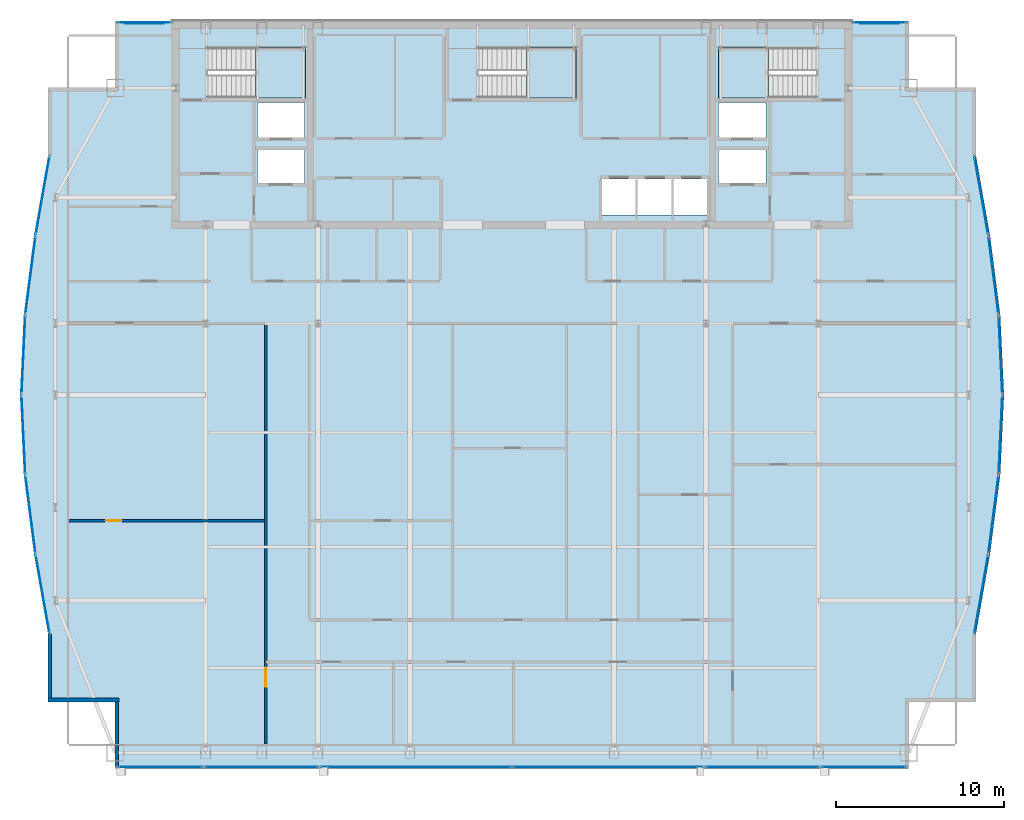
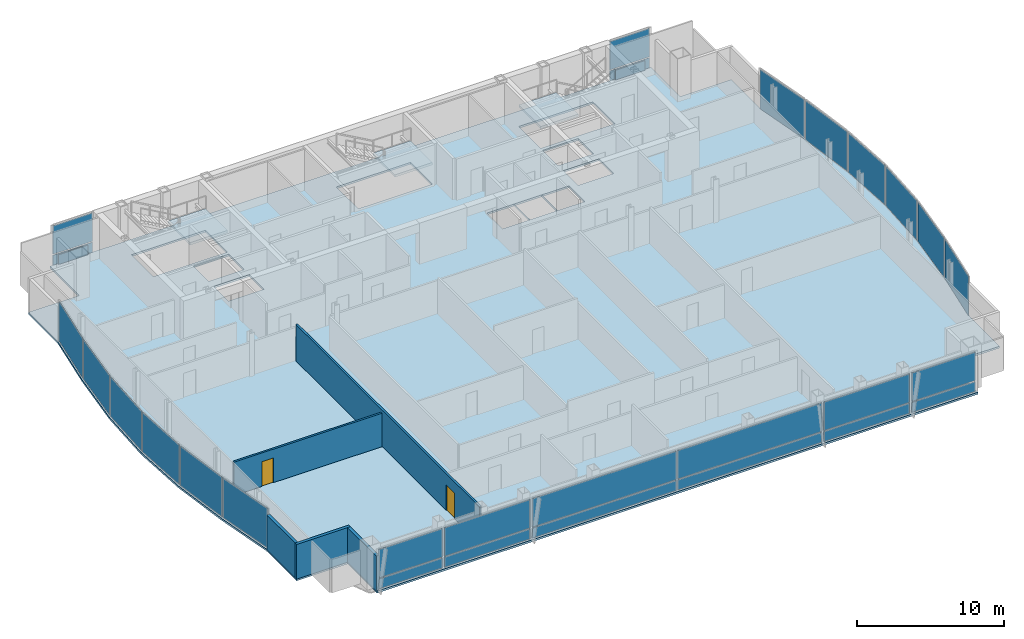
# One storey, part 24 of 30: 30 plates, 5 walls, 4 slabs, 2 doors, 2 openings, 22 elements without a shape of their own.
"""IFC4 building model written with IfcOpenShell, lengths in metres."""

from ifc_helpers import new_model, si_unit, direction, frame, frame_2d, origin, origin_2d, place, context, subcontext, project, spatial, polyline, rectangle, outline, extrude, material, layer, layer_set, type_object, element, fill, aggregate, save


model = new_model("IFC4")

# Units and contexts
model_context = context("Model", 3, precision=1e-05, world=origin(), true_north=direction((0.0, 1.0)))
body_context = subcontext(model_context, "Body", "Model", "MODEL_VIEW")
ifc_project = project(units=[si_unit("LENGTHUNIT", "METRE"), si_unit("AREAUNIT", "SQUARE_METRE"), si_unit("VOLUMEUNIT", "CUBIC_METRE"), si_unit("PLANEANGLEUNIT", "RADIAN"), si_unit("MASSUNIT", "GRAM", prefix="KILO")], contexts=[model_context])

# Site, building, storey
site_placement = place(None, origin())
site = spatial("IfcSite", under=ifc_project, at=site_placement, CompositionType="ELEMENT")
building_placement = place(site_placement, origin())
building = spatial("IfcBuilding", under=site, at=building_placement, Name="Khoronbel Lancet Exchange", CompositionType="ELEMENT")
storey_placement = place(building_placement, frame((0.0, 0.0, 277.0)))
storey = spatial("IfcBuildingStorey", under=building, at=storey_placement, Name="L71", CompositionType="ELEMENT", Elevation=277.0)

# Curtain wall, plate
ifc_material_1 = material(Name="Low-E Solar Control Insulating Glass", Category="glass")
curtain_wall_type_1 = type_object("IfcCurtainWallType", Name="CW-4", PredefinedType="NOTDEFINED", material=ifc_material_1)
curtain_wall_1_placement = place(storey_placement, origin())
curtain_wall_1 = element("IfcCurtainWall", 1, at=curtain_wall_1_placement, inside=storey, type_object=curtain_wall_type_1, Name="Unitised curtain wall CW-L71-E05", PredefinedType="NOTDEFINED")
ifc_material_2 = material(Name="Bronze-Anodised Aluminium 6063-T6", Category="aluminium")
ifc_layer_1 = layer(ifc_material_2, 0.050048828125, Name="Bronze-Anodised Aluminium 6063-T6")
ifc_layer_set_1 = layer_set([ifc_layer_1], Name="Bronze-Anodised Aluminium 6063-T6")
plate_type_1 = type_object("IfcPlateType", Name="PLT-CSP1", PredefinedType="SHEET", material=ifc_layer_set_1)
plate_1_placement = place(storey_placement, frame((7.794677734375, 24.335693359375, 0.0849609375), z_axis=(0.0, 0.0, 1.0), x_axis=(-0.12810134096, 0.991761083348, 0.0)))
plate_1 = element("IfcPlate", 2, at=plate_1_placement, type_object=plate_type_1, Name="CW4 panel 1.1", PredefinedType="CURTAIN_PANEL", context=body_context, shape_type="SweptSolid", body=[
    extrude(rectangle(XDim=4.6337890625, YDim=0.0380859375, at=origin_2d()), origin(), (0.0, 0.0, 1.0), 3.27001953125),
])
aggregate(curtain_wall_1, [plate_1])

curtain_wall_2_placement = place(storey_placement, origin())
curtain_wall_2 = element("IfcCurtainWall", 3, at=curtain_wall_2_placement, inside=storey, type_object=curtain_wall_type_1, Name="Unitised curtain wall CW-L71-E06", PredefinedType="NOTDEFINED")
plate_2_placement = place(storey_placement, frame((7.376220703125, 29.078857421875, 0.0849609375), z_axis=(0.0, 0.0, 1.0), x_axis=(-0.047204862799, 0.998885229107, 0.0)))
plate_2 = element("IfcPlate", 4, at=plate_2_placement, type_object=plate_type_1, Name="CW4 panel 1.1", PredefinedType="CURTAIN_PANEL", context=body_context, shape_type="SweptSolid", body=[
    extrude(rectangle(XDim=4.597412109375, YDim=0.0380859375, at=origin_2d()), origin(), (0.0, 0.0, 1.0), 3.27001953125),
])
aggregate(curtain_wall_2, [plate_2])

curtain_wall_3_placement = place(storey_placement, origin())
curtain_wall_3 = element("IfcCurtainWall", 5, at=curtain_wall_3_placement, inside=storey, type_object=curtain_wall_type_1, Name="Unitised curtain wall CW-L71-E07", PredefinedType="NOTDEFINED")
plate_3_placement = place(storey_placement, frame((7.376220703125, 33.821044921875, 0.0849609375), z_axis=(0.0, 0.0, 1.0), x_axis=(0.047204862799, 0.998885229107, 0.0)))
plate_3 = element("IfcPlate", 6, at=plate_3_placement, type_object=plate_type_1, Name="CW4 panel 1.1", PredefinedType="CURTAIN_PANEL", context=body_context, shape_type="SweptSolid", body=[
    extrude(rectangle(XDim=4.597412109375, YDim=0.0380859375, at=origin_2d()), origin(), (0.0, 0.0, 1.0), 3.27001953125),
])
aggregate(curtain_wall_3, [plate_3])

curtain_wall_4_placement = place(storey_placement, origin())
curtain_wall_4 = element("IfcCurtainWall", 7, at=curtain_wall_4_placement, inside=storey, type_object=curtain_wall_type_1, Name="Unitised curtain wall CW-L71-E08", PredefinedType="NOTDEFINED")
plate_4_placement = place(storey_placement, frame((7.794677734375, 38.564208984375, 0.0849609375), z_axis=(0.0, 0.0, 1.0), x_axis=(0.12810134096, 0.991761083348, 0.0)))
plate_4 = element("IfcPlate", 8, at=plate_4_placement, type_object=plate_type_1, Name="CW4 panel 1.1", PredefinedType="CURTAIN_PANEL", context=body_context, shape_type="SweptSolid", body=[
    extrude(rectangle(XDim=4.6337890625, YDim=0.0380859375, at=origin_2d()), origin(), (0.0, 0.0, 1.0), 3.27001953125),
])
aggregate(curtain_wall_4, [plate_4])

curtain_wall_type_2 = type_object("IfcCurtainWallType", Name="CW-3", PredefinedType="NOTDEFINED", material=ifc_material_1)
curtain_wall_5_placement = place(storey_placement, origin())
curtain_wall_5 = element("IfcCurtainWall", 9, at=curtain_wall_5_placement, inside=storey, type_object=curtain_wall_type_2, Name="Unitised curtain wall CW-L71-NWFLK", PredefinedType="NOTDEFINED")
plate_5_placement = place(storey_placement, frame((14.580078125, 53.550048828125, 0.0498046875), z_axis=(0.0, 0.0, 1.0), x_axis=(-1.0, 0.0, 0.0)))
plate_5 = element("IfcPlate", 10, at=plate_5_placement, type_object=plate_type_1, Name="Insulated bronze spandrel cassette CW-L71-NWFLK", PredefinedType="SHEET", context=body_context, shape_type="SweptSolid", body=[
    extrude(rectangle(XDim=2.2958984375, YDim=0.050048828125, at=origin_2d()), origin(), (0.0, 0.0, 1.0), 0.800048828125),
])

curtain_wall_6_placement = place(storey_placement, origin())
curtain_wall_6 = element("IfcCurtainWall", 11, at=curtain_wall_6_placement, inside=storey, type_object=curtain_wall_type_2, Name="Unitised curtain wall CW-L71-NEFLK", PredefinedType="NOTDEFINED")
plate_6_placement = place(storey_placement, frame((58.320068359375, 53.550048828125, 0.0498046875), z_axis=(0.0, 0.0, 1.0), x_axis=(-1.0, 0.0, 0.0)))
plate_6 = element("IfcPlate", 12, at=plate_6_placement, type_object=plate_type_1, Name="Insulated bronze spandrel cassette CW-L71-NEFLK", PredefinedType="SHEET", context=body_context, shape_type="SweptSolid", body=[
    extrude(rectangle(XDim=2.2958984375, YDim=0.050048828125, at=origin_2d()), origin(), (0.0, 0.0, 1.0), 0.800048828125),
])

curtain_wall_7_placement = place(storey_placement, origin())
curtain_wall_7 = element("IfcCurtainWall", 13, at=curtain_wall_7_placement, inside=storey, type_object=curtain_wall_type_1, Name="Unitised curtain wall CW-L71-E18", PredefinedType="NOTDEFINED")
plate_7_placement = place(storey_placement, frame((65.10546875, 38.564208984375, 0.0849609375), z_axis=(0.0, 0.0, 1.0), x_axis=(0.12810134096, -0.991761083348, 0.0)))
plate_7 = element("IfcPlate", 14, at=plate_7_placement, type_object=plate_type_1, Name="CW4 panel 1.1", PredefinedType="CURTAIN_PANEL", context=body_context, shape_type="SweptSolid", body=[
    extrude(rectangle(XDim=4.6337890625, YDim=0.0380859375, at=origin_2d()), origin(), (0.0, 0.0, 1.0), 3.27001953125),
])
aggregate(curtain_wall_7, [plate_7])

curtain_wall_8_placement = place(storey_placement, origin())
curtain_wall_8 = element("IfcCurtainWall", 15, at=curtain_wall_8_placement, inside=storey, type_object=curtain_wall_type_1, Name="Unitised curtain wall CW-L71-E19", PredefinedType="NOTDEFINED")
plate_8_placement = place(storey_placement, frame((65.52392578125, 33.821044921875, 0.0849609375), z_axis=(0.0, 0.0, 1.0), x_axis=(0.047204862799, -0.998885229107, 0.0)))
plate_8 = element("IfcPlate", 16, at=plate_8_placement, type_object=plate_type_1, Name="CW4 panel 1.1", PredefinedType="CURTAIN_PANEL", context=body_context, shape_type="SweptSolid", body=[
    extrude(rectangle(XDim=4.597412109375, YDim=0.0380859375, at=origin_2d()), origin(), (0.0, 0.0, 1.0), 3.27001953125),
])
aggregate(curtain_wall_8, [plate_8])

curtain_wall_9_placement = place(storey_placement, origin())
curtain_wall_9 = element("IfcCurtainWall", 17, at=curtain_wall_9_placement, inside=storey, type_object=curtain_wall_type_1, Name="Unitised curtain wall CW-L71-E20", PredefinedType="NOTDEFINED")
plate_9_placement = place(storey_placement, frame((65.52392578125, 29.078857421875, 0.0849609375), z_axis=(0.0, 0.0, 1.0), x_axis=(-0.047204862799, -0.998885229107, 0.0)))
plate_9 = element("IfcPlate", 18, at=plate_9_placement, type_object=plate_type_1, Name="CW4 panel 1.1", PredefinedType="CURTAIN_PANEL", context=body_context, shape_type="SweptSolid", body=[
    extrude(rectangle(XDim=4.597412109375, YDim=0.0380859375, at=origin_2d()), origin(), (0.0, 0.0, 1.0), 3.27001953125),
])
aggregate(curtain_wall_9, [plate_9])

curtain_wall_10_placement = place(storey_placement, origin())
curtain_wall_10 = element("IfcCurtainWall", 19, at=curtain_wall_10_placement, inside=storey, type_object=curtain_wall_type_1, Name="Unitised curtain wall CW-L71-E21", PredefinedType="NOTDEFINED")
plate_10_placement = place(storey_placement, frame((65.10546875, 24.335693359375, 0.0849609375), z_axis=(0.0, 0.0, 1.0), x_axis=(-0.12810134096, -0.991761083348, 0.0)))
plate_10 = element("IfcPlate", 20, at=plate_10_placement, type_object=plate_type_1, Name="CW4 panel 1.1", PredefinedType="CURTAIN_PANEL", context=body_context, shape_type="SweptSolid", body=[
    extrude(rectangle(XDim=4.6337890625, YDim=0.0380859375, at=origin_2d()), origin(), (0.0, 0.0, 1.0), 3.27001953125),
])
aggregate(curtain_wall_10, [plate_10])

# Curtain wall, plates
curtain_wall_11_placement = place(storey_placement, origin())
curtain_wall_11 = element("IfcCurtainWall", 21, at=curtain_wall_11_placement, inside=storey, type_object=curtain_wall_type_2, Name="Unitised curtain wall CW-L71-SWB", PredefinedType="NOTDEFINED")
plate_11_placement = place(storey_placement, frame((21.550048828125, 9.2900390625, 0.0849609375), z_axis=(0.0, 0.0, 1.0), x_axis=(1.0, 0.0, 0.0)))
plate_11 = element("IfcPlate", 22, at=plate_11_placement, type_object=plate_type_1, Name="CW3 panel 1.1", PredefinedType="CURTAIN_PANEL", context=body_context, shape_type="SweptSolid", body=[
    extrude(rectangle(XDim=6.72998046875, YDim=0.0380859375, at=origin_2d()), origin(), (0.0, 0.0, 1.0), 0.822509765625),
])
plate_12_placement = place(storey_placement, frame((21.550048828125, 9.2900390625, 0.99267578125), z_axis=(0.0, 0.0, 1.0), x_axis=(1.0, 0.0, 0.0)))
plate_12 = element("IfcPlate", 23, at=plate_12_placement, type_object=plate_type_1, Name="CW3 panel 1.2", PredefinedType="CURTAIN_PANEL", context=body_context, shape_type="SweptSolid", body=[
    extrude(rectangle(XDim=6.72998046875, YDim=0.0380859375, at=origin_2d()), origin(), (0.0, 0.0, 1.0), 2.362548828125),
])
aggregate(curtain_wall_11, [plate_11, plate_12])

curtain_wall_12_placement = place(storey_placement, origin())
curtain_wall_12 = element("IfcCurtainWall", 24, at=curtain_wall_12_placement, inside=storey, type_object=curtain_wall_type_2, Name="Unitised curtain wall CW-L71-SEB", PredefinedType="NOTDEFINED")
plate_13_placement = place(storey_placement, frame((51.35009765625, 9.2900390625, 0.0849609375), z_axis=(0.0, 0.0, 1.0), x_axis=(1.0, 0.0, 0.0)))
plate_13 = element("IfcPlate", 25, at=plate_13_placement, type_object=plate_type_1, Name="CW3 panel 1.1", PredefinedType="CURTAIN_PANEL", context=body_context, shape_type="SweptSolid", body=[
    extrude(rectangle(XDim=6.72998046875, YDim=0.0380859375, at=origin_2d()), origin(), (0.0, 0.0, 1.0), 0.822509765625),
])
plate_14_placement = place(storey_placement, frame((51.35009765625, 9.2900390625, 0.99267578125), z_axis=(0.0, 0.0, 1.0), x_axis=(1.0, 0.0, 0.0)))
plate_14 = element("IfcPlate", 26, at=plate_14_placement, type_object=plate_type_1, Name="CW3 panel 1.2", PredefinedType="CURTAIN_PANEL", context=body_context, shape_type="SweptSolid", body=[
    extrude(rectangle(XDim=6.72998046875, YDim=0.0380859375, at=origin_2d()), origin(), (0.0, 0.0, 1.0), 2.362548828125),
])
aggregate(curtain_wall_12, [plate_13, plate_14])

# Plate
ifc_layer_2 = layer(ifc_material_1, 0.035888671875, Name="Low-E Solar Control Insulating Glass")
ifc_layer_set_2 = layer_set([ifc_layer_2], Name="Low-E Solar Control Insulating Glass")
plate_type_2 = type_object("IfcPlateType", Name="PLT-CWP1", PredefinedType="CURTAIN_PANEL", material=ifc_layer_set_2)
plate_15_placement = place(storey_placement, frame((14.580078125, 53.610107421875, 0.0849609375), z_axis=(0.0, 0.0, 1.0), x_axis=(-1.0, 0.0, 0.0)))
plate_15 = element("IfcPlate", 27, at=plate_15_placement, type_object=plate_type_2, Name="CW3 panel 1.1", PredefinedType="CURTAIN_PANEL", context=body_context, shape_type="SweptSolid", body=[
    extrude(rectangle(XDim=3.110107421875, YDim=0.0380859375, at=origin_2d()), origin(), (0.0, 0.0, 1.0), 0.822509765625),
])

plate_16_placement = place(storey_placement, frame((14.580078125, 53.610107421875, 0.99267578125), z_axis=(0.0, 0.0, 1.0), x_axis=(-1.0, 0.0, 0.0)))
plate_16 = element("IfcPlate", 28, at=plate_16_placement, type_object=plate_type_2, Name="CW3 panel 1.2", PredefinedType="CURTAIN_PANEL", context=body_context, shape_type="SweptSolid", body=[
    extrude(rectangle(XDim=3.110107421875, YDim=0.0380859375, at=origin_2d()), origin(), (0.0, 0.0, 1.0), 2.362548828125),
])

aggregate(curtain_wall_5, [plate_15, plate_16, plate_5])

plate_17_placement = place(storey_placement, frame((58.320068359375, 53.610107421875, 0.0849609375), z_axis=(0.0, 0.0, 1.0), x_axis=(-1.0, 0.0, 0.0)))
plate_17 = element("IfcPlate", 29, at=plate_17_placement, type_object=plate_type_2, Name="CW3 panel 1.1", PredefinedType="CURTAIN_PANEL", context=body_context, shape_type="SweptSolid", body=[
    extrude(rectangle(XDim=3.110107421875, YDim=0.0380859375, at=origin_2d()), origin(), (0.0, 0.0, 1.0), 0.822509765625),
])

plate_18_placement = place(storey_placement, frame((58.320068359375, 53.610107421875, 0.99267578125), z_axis=(0.0, 0.0, 1.0), x_axis=(-1.0, 0.0, 0.0)))
plate_18 = element("IfcPlate", 30, at=plate_18_placement, type_object=plate_type_2, Name="CW3 panel 1.2", PredefinedType="CURTAIN_PANEL", context=body_context, shape_type="SweptSolid", body=[
    extrude(rectangle(XDim=3.110107421875, YDim=0.0380859375, at=origin_2d()), origin(), (0.0, 0.0, 1.0), 2.362548828125),
])

aggregate(curtain_wall_6, [plate_17, plate_18, plate_6])

# Curtain wall, plates
curtain_wall_13_placement = place(storey_placement, origin())
curtain_wall_13 = element("IfcCurtainWall", 31, at=curtain_wall_13_placement, inside=storey, type_object=curtain_wall_type_2, Name="Unitised curtain wall CW-L71-SWV", PredefinedType="NOTDEFINED")
plate_19_placement = place(storey_placement, frame((15.52001953125, 9.2900390625, 0.0849609375), z_axis=(0.0, 0.0, 1.0), x_axis=(1.0, 0.0, 0.0)))
plate_19 = element("IfcPlate", 32, at=plate_19_placement, type_object=plate_type_2, Name="CW3 panel 1.1", PredefinedType="CURTAIN_PANEL", context=body_context, shape_type="SweptSolid", body=[
    extrude(rectangle(XDim=4.989990234375, YDim=0.0380859375, at=origin_2d()), origin(), (0.0, 0.0, 1.0), 0.822509765625),
])
plate_20_placement = place(storey_placement, frame((15.52001953125, 9.2900390625, 0.99267578125), z_axis=(0.0, 0.0, 1.0), x_axis=(1.0, 0.0, 0.0)))
plate_20 = element("IfcPlate", 33, at=plate_20_placement, type_object=plate_type_2, Name="CW3 panel 1.2", PredefinedType="CURTAIN_PANEL", context=body_context, shape_type="SweptSolid", body=[
    extrude(rectangle(XDim=4.989990234375, YDim=0.0380859375, at=origin_2d()), origin(), (0.0, 0.0, 1.0), 2.362548828125),
])
aggregate(curtain_wall_13, [plate_19, plate_20])

curtain_wall_14_placement = place(storey_placement, origin())
curtain_wall_14 = element("IfcCurtainWall", 34, at=curtain_wall_14_placement, inside=storey, type_object=curtain_wall_type_2, Name="Unitised curtain wall CW-L71-SCV", PredefinedType="NOTDEFINED")
plate_21_placement = place(storey_placement, frame((30.746337890625, 9.2900390625, 0.0849609375), z_axis=(0.0, 0.0, 1.0), x_axis=(1.0, 0.0, 0.0)))
plate_21 = element("IfcPlate", 35, at=plate_21_placement, type_object=plate_type_2, Name="CW3 panel 1.1", PredefinedType="CURTAIN_PANEL", context=body_context, shape_type="SweptSolid", body=[
    extrude(rectangle(XDim=11.322509765625, YDim=0.0380859375, at=origin_2d()), origin(), (0.0, 0.0, 1.0), 0.822509765625),
])
plate_22_placement = place(storey_placement, frame((30.746337890625, 9.2900390625, 0.99267578125), z_axis=(0.0, 0.0, 1.0), x_axis=(1.0, 0.0, 0.0)))
plate_22 = element("IfcPlate", 36, at=plate_22_placement, type_object=plate_type_2, Name="CW3 panel 1.2", PredefinedType="CURTAIN_PANEL", context=body_context, shape_type="SweptSolid", body=[
    extrude(rectangle(XDim=11.322509765625, YDim=0.0380859375, at=origin_2d()), origin(), (0.0, 0.0, 1.0), 2.362548828125),
])
plate_23_placement = place(storey_placement, frame((42.15380859375, 9.2900390625, 0.0849609375), z_axis=(0.0, 0.0, 1.0), x_axis=(1.0, 0.0, 0.0)))
plate_23 = element("IfcPlate", 37, at=plate_23_placement, type_object=plate_type_2, Name="CW3 panel 2.1", PredefinedType="CURTAIN_PANEL", context=body_context, shape_type="SweptSolid", body=[
    extrude(rectangle(XDim=11.322509765625, YDim=0.0380859375, at=origin_2d()), origin(), (0.0, 0.0, 1.0), 0.822509765625),
])
plate_24_placement = place(storey_placement, frame((42.15380859375, 9.2900390625, 0.99267578125), z_axis=(0.0, 0.0, 1.0), x_axis=(1.0, 0.0, 0.0)))
plate_24 = element("IfcPlate", 38, at=plate_24_placement, type_object=plate_type_2, Name="CW3 panel 2.2", PredefinedType="CURTAIN_PANEL", context=body_context, shape_type="SweptSolid", body=[
    extrude(rectangle(XDim=11.322509765625, YDim=0.0380859375, at=origin_2d()), origin(), (0.0, 0.0, 1.0), 2.362548828125),
])
aggregate(curtain_wall_14, [plate_21, plate_22, plate_23, plate_24])

curtain_wall_15_placement = place(storey_placement, origin())
curtain_wall_15 = element("IfcCurtainWall", 39, at=curtain_wall_15_placement, inside=storey, type_object=curtain_wall_type_2, Name="Unitised curtain wall CW-L71-SEV", PredefinedType="NOTDEFINED")
plate_25_placement = place(storey_placement, frame((57.3798828125, 9.2900390625, 0.0849609375), z_axis=(0.0, 0.0, 1.0), x_axis=(1.0, 0.0, 0.0)))
plate_25 = element("IfcPlate", 40, at=plate_25_placement, type_object=plate_type_2, Name="CW3 panel 1.1", PredefinedType="CURTAIN_PANEL", context=body_context, shape_type="SweptSolid", body=[
    extrude(rectangle(XDim=4.989990234375, YDim=0.0380859375, at=origin_2d()), origin(), (0.0, 0.0, 1.0), 0.822509765625),
])
plate_26_placement = place(storey_placement, frame((57.3798828125, 9.2900390625, 0.99267578125), z_axis=(0.0, 0.0, 1.0), x_axis=(1.0, 0.0, 0.0)))
plate_26 = element("IfcPlate", 41, at=plate_26_placement, type_object=plate_type_2, Name="CW3 panel 1.2", PredefinedType="CURTAIN_PANEL", context=body_context, shape_type="SweptSolid", body=[
    extrude(rectangle(XDim=4.989990234375, YDim=0.0380859375, at=origin_2d()), origin(), (0.0, 0.0, 1.0), 2.362548828125),
])
aggregate(curtain_wall_15, [plate_25, plate_26])

# Curtain wall, plate
curtain_wall_16_placement = place(storey_placement, origin())
curtain_wall_16 = element("IfcCurtainWall", 42, at=curtain_wall_16_placement, inside=storey, type_object=curtain_wall_type_1, Name="Unitised curtain wall CW-L71-E04", PredefinedType="NOTDEFINED")
ifc_material_3 = material(Name="Ceramic-Fritted Laminated Insulating Glass", Category="glass")
ifc_layer_3 = layer(ifc_material_3, 0.0419921875, Name="Ceramic-Fritted Laminated Insulating Glass")
ifc_layer_set_3 = layer_set([ifc_layer_3], Name="Ceramic-Fritted Laminated Insulating Glass")
plate_type_3 = type_object("IfcPlateType", Name="PLT-CWP2", PredefinedType="CURTAIN_PANEL", material=ifc_layer_set_3)
plate_27_placement = place(storey_placement, frame((8.5205078125, 19.585693359375, 0.0849609375), z_axis=(0.0, 0.0, 1.0), x_axis=(-0.173736900118, 0.984792104729, 0.0)))
plate_27 = element("IfcPlate", 43, at=plate_27_placement, type_object=plate_type_3, Name="CW4 panel 1.1", PredefinedType="CURTAIN_PANEL", context=body_context, shape_type="SweptSolid", body=[
    extrude(rectangle(XDim=4.67919921875, YDim=0.0380859375, at=origin_2d()), origin(), (0.0, 0.0, 1.0), 3.27001953125),
])
aggregate(curtain_wall_16, [plate_27])

curtain_wall_17_placement = place(storey_placement, origin())
curtain_wall_17 = element("IfcCurtainWall", 44, at=curtain_wall_17_placement, inside=storey, type_object=curtain_wall_type_1, Name="Unitised curtain wall CW-L71-E09", PredefinedType="NOTDEFINED")
plate_28_placement = place(storey_placement, frame((8.5205078125, 43.314208984375, 0.0849609375), z_axis=(0.0, 0.0, 1.0), x_axis=(0.173736900118, 0.984792104729, 0.0)))
plate_28 = element("IfcPlate", 45, at=plate_28_placement, type_object=plate_type_3, Name="CW4 panel 1.1", PredefinedType="CURTAIN_PANEL", context=body_context, shape_type="SweptSolid", body=[
    extrude(rectangle(XDim=4.67919921875, YDim=0.0380859375, at=origin_2d()), origin(), (0.0, 0.0, 1.0), 3.27001953125),
])
aggregate(curtain_wall_17, [plate_28])

curtain_wall_18_placement = place(storey_placement, origin())
curtain_wall_18 = element("IfcCurtainWall", 46, at=curtain_wall_18_placement, inside=storey, type_object=curtain_wall_type_1, Name="Unitised curtain wall CW-L71-E17", PredefinedType="NOTDEFINED")
plate_29_placement = place(storey_placement, frame((64.37939453125, 43.314208984375, 0.0849609375), z_axis=(0.0, 0.0, 1.0), x_axis=(0.173736900118, -0.984792104729, 0.0)))
plate_29 = element("IfcPlate", 47, at=plate_29_placement, type_object=plate_type_3, Name="CW4 panel 1.1", PredefinedType="CURTAIN_PANEL", context=body_context, shape_type="SweptSolid", body=[
    extrude(rectangle(XDim=4.67919921875, YDim=0.0380859375, at=origin_2d()), origin(), (0.0, 0.0, 1.0), 3.27001953125),
])
aggregate(curtain_wall_18, [plate_29])

curtain_wall_19_placement = place(storey_placement, origin())
curtain_wall_19 = element("IfcCurtainWall", 48, at=curtain_wall_19_placement, inside=storey, type_object=curtain_wall_type_1, Name="Unitised curtain wall CW-L71-E22", PredefinedType="NOTDEFINED")
plate_30_placement = place(storey_placement, frame((64.37939453125, 19.585693359375, 0.0849609375), z_axis=(0.0, 0.0, 1.0), x_axis=(-0.173736900118, -0.984792104729, 0.0)))
plate_30 = element("IfcPlate", 49, at=plate_30_placement, type_object=plate_type_3, Name="CW4 panel 1.1", PredefinedType="CURTAIN_PANEL", context=body_context, shape_type="SweptSolid", body=[
    extrude(rectangle(XDim=4.67919921875, YDim=0.0380859375, at=origin_2d()), origin(), (0.0, 0.0, 1.0), 3.27001953125),
])
aggregate(curtain_wall_19, [plate_30])

# Slab
ifc_material_4 = material(Name="Concrete C40/50", Category="concrete")
ifc_layer_4 = layer(ifc_material_4, 0.159912109375, Name="Concrete C40/50")
ifc_layer_set_4 = layer_set([ifc_layer_4], Name="Concrete C40/50")
slab_type_1 = type_object("IfcSlabType", Name="SL-FL160", PredefinedType="FLOOR", material=ifc_layer_set_4)
slab_1_placement = place(storey_placement, frame((0.0, 0.0, -0.159912109375)))
element("IfcSlab", 50, at=slab_1_placement, inside=storey, type_object=slab_type_1, Name="Level L71 composite structural floor slab", PredefinedType="FLOOR", context=body_context, shape_type="SweptSolid", body=[
    extrude(outline(polyline([(12.85009765625, 9.199951171875), (60.050048828125, 9.199951171875), (60.050048828125, 13.199951171875), (64.050048828125, 13.199951171875), (64.050048828125, 17.199951171875), (64.887939453125, 21.949951171875), (65.50146484375, 26.699951171875), (65.72607421875, 31.449951171875), (65.50146484375, 36.199951171875), (64.887939453125, 40.949951171875), (64.050048828125, 45.699951171875), (64.050048828125, 49.699951171875), (60.050048828125, 49.699951171875), (60.050048828125, 53.699951171875), (12.85009765625, 53.699951171875), (12.85009765625, 49.699951171875), (8.85009765625, 49.699951171875), (8.85009765625, 45.699951171875), (8.011962890625, 40.949951171875), (7.3984375, 36.199951171875), (7.174072265625, 31.449951171875), (7.3984375, 26.699951171875), (8.011962890625, 21.949951171875), (8.85009765625, 17.199951171875), (8.85009765625, 13.199951171875), (12.85009765625, 13.199951171875), (12.85009765625, 9.199951171875)]), holes=[polyline([(18.324951171875, 49.1201171875), (24.14990234375, 49.1201171875), (24.14990234375, 52.10009765625), (18.324951171875, 52.10009765625), (18.324951171875, 49.1201171875)]), polyline([(48.75, 49.1201171875), (54.574951171875, 49.1201171875), (54.574951171875, 52.10009765625), (48.75, 52.10009765625), (48.75, 49.1201171875)]), polyline([(34.425048828125, 49.1201171875), (40.25, 49.1201171875), (40.25, 52.10009765625), (34.425048828125, 52.10009765625), (34.425048828125, 49.1201171875)]), polyline([(41.739990234375, 42.14990234375), (43.8798828125, 42.14990234375), (43.8798828125, 44.300048828125), (41.739990234375, 44.300048828125), (41.739990234375, 42.14990234375)]), polyline([(43.89990234375, 42.14990234375), (46.0400390625, 42.14990234375), (46.0400390625, 44.300048828125), (43.89990234375, 44.300048828125), (43.89990234375, 42.14990234375)]), polyline([(46.06005859375, 42.14990234375), (48.199951171875, 42.14990234375), (48.199951171875, 44.300048828125), (46.06005859375, 44.300048828125), (46.06005859375, 42.14990234375)]), polyline([(21.300048828125, 46.75), (24.10009765625, 46.75), (24.10009765625, 48.85009765625), (21.300048828125, 48.85009765625), (21.300048828125, 46.75)]), polyline([(48.75, 46.75), (51.550048828125, 46.75), (51.550048828125, 48.85009765625), (48.75, 48.85009765625), (48.75, 46.75)]), polyline([(21.300048828125, 44.050048828125), (24.10009765625, 44.050048828125), (24.10009765625, 46.050048828125), (21.300048828125, 46.050048828125), (21.300048828125, 44.050048828125)]), polyline([(48.75, 44.050048828125), (51.550048828125, 44.050048828125), (51.550048828125, 46.050048828125), (48.75, 46.050048828125), (48.75, 44.050048828125)])]), origin(), (0.0, 0.0, 1.0), 0.159912109375),
])

# Stair, slab
stair_type = type_object("IfcStairType", Name="STR-CORE150", PredefinedType="HALF_TURN_STAIR", material=ifc_material_4)
stair_1_placement = place(storey_placement, origin())
stair_1 = element("IfcStair", 51, at=stair_1_placement, inside=storey, type_object=stair_type, Name="L71 Protected Exit Stair ST1", PredefinedType="HALF_TURN_STAIR")
ifc_layer_5 = layer(ifc_material_4, 0.199951171875, Name="Concrete C40/50")
ifc_layer_set_5 = layer_set([ifc_layer_5], Name="Concrete C40/50")
slab_type_2 = type_object("IfcSlabType", Name="SL-LND180", PredefinedType="LANDING", material=ifc_layer_set_5)
slab_2_placement = place(storey_placement, frame((0.0, 0.0, 1.60009765625)))
slab_2 = element("IfcSlab", 52, at=slab_2_placement, type_object=slab_type_2, Name="ST1 landing 1", PredefinedType="LANDING", context=body_context, shape_type="SweptSolid", body=[
    extrude(outline(polyline([(21.199951171875, 49.1201171875), (24.14990234375, 49.1201171875), (24.14990234375, 52.10009765625), (21.199951171875, 52.10009765625), (21.199951171875, 49.1201171875)])), origin(), (0.0, 0.0, 1.0), 0.199951171875),
])
aggregate(stair_1, [slab_2])

stair_2_placement = place(storey_placement, origin())
stair_2 = element("IfcStair", 53, at=stair_2_placement, inside=storey, type_object=stair_type, Name="L71 Protected Exit Stair ST2", PredefinedType="HALF_TURN_STAIR")
slab_3_placement = place(storey_placement, frame((0.0, 0.0, 1.60009765625)))
slab_3 = element("IfcSlab", 54, at=slab_3_placement, type_object=slab_type_2, Name="ST2 landing 1", PredefinedType="LANDING", context=body_context, shape_type="SweptSolid", body=[
    extrude(outline(polyline([(51.699951171875, 52.10009765625), (48.75, 52.10009765625), (48.75, 49.1201171875), (51.699951171875, 49.1201171875), (51.699951171875, 52.10009765625)])), origin(), (0.0, 0.0, 1.0), 0.199951171875),
])
aggregate(stair_2, [slab_3])

stair_3_placement = place(storey_placement, origin())
stair_3 = element("IfcStair", 55, at=stair_3_placement, inside=storey, type_object=stair_type, Name="L71 Protected Exit Stair ST3", PredefinedType="HALF_TURN_STAIR")
slab_4_placement = place(storey_placement, frame((0.0, 0.0, 1.60009765625)))
slab_4 = element("IfcSlab", 56, at=slab_4_placement, type_object=slab_type_2, Name="ST3 landing 1", PredefinedType="LANDING", context=body_context, shape_type="SweptSolid", body=[
    extrude(outline(polyline([(37.300048828125, 49.1201171875), (40.25, 49.1201171875), (40.25, 52.10009765625), (37.300048828125, 52.10009765625), (37.300048828125, 49.1201171875)])), origin(), (0.0, 0.0, 1.0), 0.199951171875),
])
aggregate(stair_3, [slab_4])

# Walls
ifc_material_5 = material(Name="Precast concrete C40/50", Category="concrete")
ifc_layer_6 = layer(ifc_material_5, 0.25, Name="Precast concrete C40/50")
ifc_layer_set_6 = layer_set([ifc_layer_6], Name="Precast concrete C40/50")
wall_type_1 = type_object("IfcWallType", Name="WL-EXT250", PredefinedType="SOLIDWALL", material=ifc_layer_set_6)
wall_1_placement = place(storey_placement, frame((12.93994140625, 9.27001953125, 0.0), z_axis=(0.0, 0.0, 1.0), x_axis=(0.0, 1.0, 0.0)))
element("IfcWall", 57, at=wall_1_placement, inside=storey, type_object=wall_type_1, Name="Level L71 notched-corner limestone pier 01", PredefinedType="SOLIDWALL", context=body_context, shape_type="SweptSolid", body=[
    extrude(rectangle(XDim=3.909912109375, YDim=0.219970703125, at=frame_2d((1.955078125, 0.0))), origin(), (0.0, 0.0, 1.0), 2.8798828125),
])
wall_2_placement = place(storey_placement, frame((13.050048828125, 13.2900390625, 0.0), z_axis=(0.0, 0.0, 1.0), x_axis=(-1.0, 0.0, 0.0)))
element("IfcWall", 58, at=wall_2_placement, inside=storey, type_object=wall_type_1, Name="Level L71 notched-corner limestone pier 02", PredefinedType="SOLIDWALL", context=body_context, shape_type="SweptSolid", body=[
    extrude(rectangle(XDim=4.219970703125, YDim=0.219970703125, at=frame_2d((2.10986328125, 0.0))), origin(), (0.0, 0.0, 1.0), 2.8798828125),
])
wall_3_placement = place(storey_placement, frame((8.93994140625, 13.39990234375, 0.0), z_axis=(0.0, 0.0, 1.0), x_axis=(0.0, 1.0, 0.0)))
element("IfcWall", 59, at=wall_3_placement, inside=storey, type_object=wall_type_1, Name="Level L71 notched-corner limestone pier 03", PredefinedType="SOLIDWALL", context=body_context, shape_type="SweptSolid", body=[
    extrude(rectangle(XDim=3.827880859375, YDim=0.219970703125, at=frame_2d((1.9140625, 0.0))), origin(), (0.0, 0.0, 1.0), 2.8798828125),
])

# Wall, opening, door
ifc_material_6 = material(Name="Acoustic Metal-Stud & Mineral-Wool Gypsum Partition 120 mm", Category="gypsum")
ifc_layer_7 = layer(ifc_material_6, 0.1201171875, Name="Acoustic Metal-Stud & Mineral-Wool Gypsum Partition 120 mm")
ifc_layer_set_7 = layer_set([ifc_layer_7], Name="Acoustic Metal-Stud & Mineral-Wool Gypsum Partition 120 mm")
wall_type_2 = type_object("IfcWallType", Name="WL-PRT120", PredefinedType="PARTITIONING", material=ifc_layer_set_7)
wall_4_placement = place(storey_placement, frame((10.094970703125, 23.949951171875, 0.0), z_axis=(0.0, 0.0, 1.0), x_axis=(1.0, 0.0, 0.0)))
wall_4 = element("IfcWall", 60, at=wall_4_placement, inside=storey, type_object=wall_type_2, Name="Level L71 interior partition PW-Z4-WH", PredefinedType="PARTITIONING", context=body_context, shape_type="SweptSolid", body=[
    extrude(rectangle(XDim=11.625, YDim=0.14990234375, at=frame_2d((5.8125, 0.0))), origin(), (0.0, 0.0, 1.0), 2.780029296875),
])
opening_1_placement = place(wall_4_placement, frame((2.199951171875, 0.0, 0.0)))
opening_1 = element("IfcOpeningElement", 61, at=opening_1_placement, cuts=wall_4, Name="Opening D5", PredefinedType="OPENING", context=body_context, shape_type="SweptSolid", body=[
    extrude(rectangle(XDim=0.89990234375, YDim=2.050048828125, at=frame_2d((0.449951171875, 1.02490234375))), frame((0.0, 0.0849609375, 0.0), z_axis=(0.0, -1.0, 0.0), x_axis=(1.0, 0.0, 0.0)), (0.0, 0.0, 1.0), 0.169921875),
])
ifc_material_7 = material(Name="Acoustic Timber Pantry & Support Door", Category="wood")
door_type_1 = type_object("IfcDoorType", Name="DR-D5", OperationType="NOTDEFINED", PredefinedType="DOOR", material=ifc_material_7)
door_1_placement = place(opening_1_placement, origin())
door_1 = element("IfcDoor", 62, at=door_1_placement, inside=storey, type_object=door_type_1, Name="West lens inner door L71-1", OperationType="SINGLE_SWING_LEFT", OverallHeight=2.050048828125, OverallWidth=0.89990234375, PredefinedType="DOOR", context=body_context, shape_type="SweptSolid", body=[
    extrude(rectangle(XDim=0.89990234375, YDim=2.050048828125, at=frame_2d((0.449951171875, 1.02490234375))), frame((0.0, 0.02490234375, 0.0), z_axis=(0.0, -1.0, 0.0), x_axis=(1.0, 0.0, 0.0)), (0.0, 0.0, 1.0), 0.050048828125),
])
fill(opening_1, door_1)

ifc_material_8 = material(Name="Fire-Rated Twin-Stud Acoustic Gypsum Partition 150 mm", Category="gypsum")
ifc_layer_8 = layer(ifc_material_8, 0.14990234375, Name="Fire-Rated Twin-Stud Acoustic Gypsum Partition 150 mm")
ifc_layer_set_8 = layer_set([ifc_layer_8], Name="Fire-Rated Twin-Stud Acoustic Gypsum Partition 150 mm")
wall_type_3 = type_object("IfcWallType", Name="WL-PRT150C", PredefinedType="PARTITIONING", material=ifc_layer_set_8)
wall_5_placement = place(storey_placement, frame((21.800048828125, 10.6650390625, 0.0), z_axis=(0.0, 0.0, 1.0), x_axis=(0.0, 1.0, 0.0)))
wall_5 = element("IfcWall", 63, at=wall_5_placement, inside=storey, type_object=wall_type_3, Name="Level L71 interior partition PW-Z4-WW", PredefinedType="PARTITIONING", context=body_context, shape_type="SweptSolid", body=[
    extrude(rectangle(XDim=24.955078125, YDim=0.14990234375, at=frame_2d((12.4775390625, 0.0))), origin(), (0.0, 0.0, 1.0), 3.030029296875),
])
opening_2_placement = place(wall_5_placement, frame((3.39990234375, 0.0, 0.0)))
opening_2 = element("IfcOpeningElement", 64, at=opening_2_placement, cuts=wall_5, Name="Opening D6", PredefinedType="OPENING", context=body_context, shape_type="SweptSolid", body=[
    extrude(rectangle(XDim=1.10009765625, YDim=2.10009765625, at=frame_2d((0.550048828125, 1.050048828125))), frame((0.0, 0.0849609375, 0.0), z_axis=(0.0, -1.0, 0.0), x_axis=(1.0, 0.0, 0.0)), (0.0, 0.0, 1.0), 0.169921875),
])
ifc_material_9 = material(Name="Acoustic Bronze-Veneer Executive Suite Door", Category="wood")
door_type_2 = type_object("IfcDoorType", Name="DR-D6", OperationType="NOTDEFINED", PredefinedType="DOOR", material=ifc_material_9)
door_2_placement = place(opening_2_placement, origin())
door_2 = element("IfcDoor", 65, at=door_2_placement, inside=storey, type_object=door_type_2, Name="West lens presidential door L71-1", OperationType="SINGLE_SWING_LEFT", OverallHeight=2.10009765625, OverallWidth=1.10009765625, PredefinedType="DOOR", context=body_context, shape_type="SweptSolid", body=[
    extrude(rectangle(XDim=1.10009765625, YDim=2.10009765625, at=frame_2d((0.550048828125, 1.050048828125))), frame((0.0, 0.02490234375, 0.0), z_axis=(0.0, -1.0, 0.0), x_axis=(1.0, 0.0, 0.0)), (0.0, 0.0, 1.0), 0.050048828125),
])
fill(opening_2, door_2)

save(model, "model.ifc")
